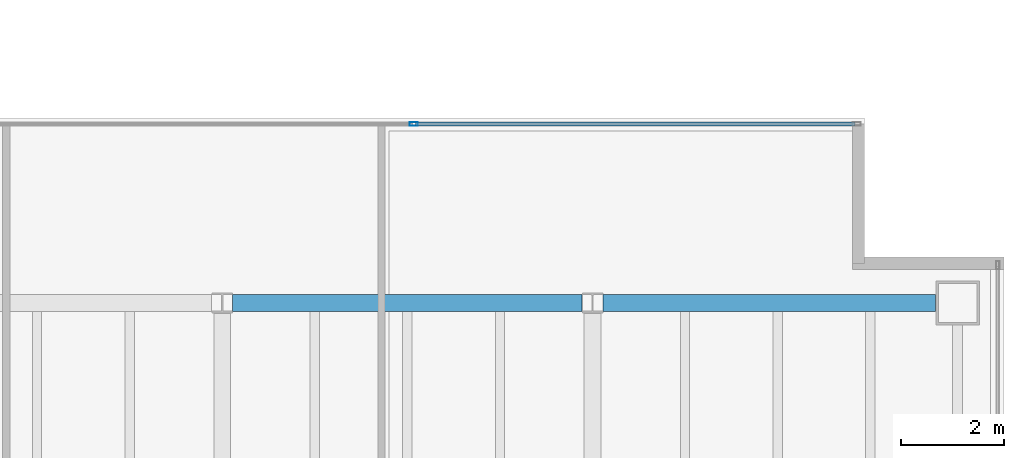
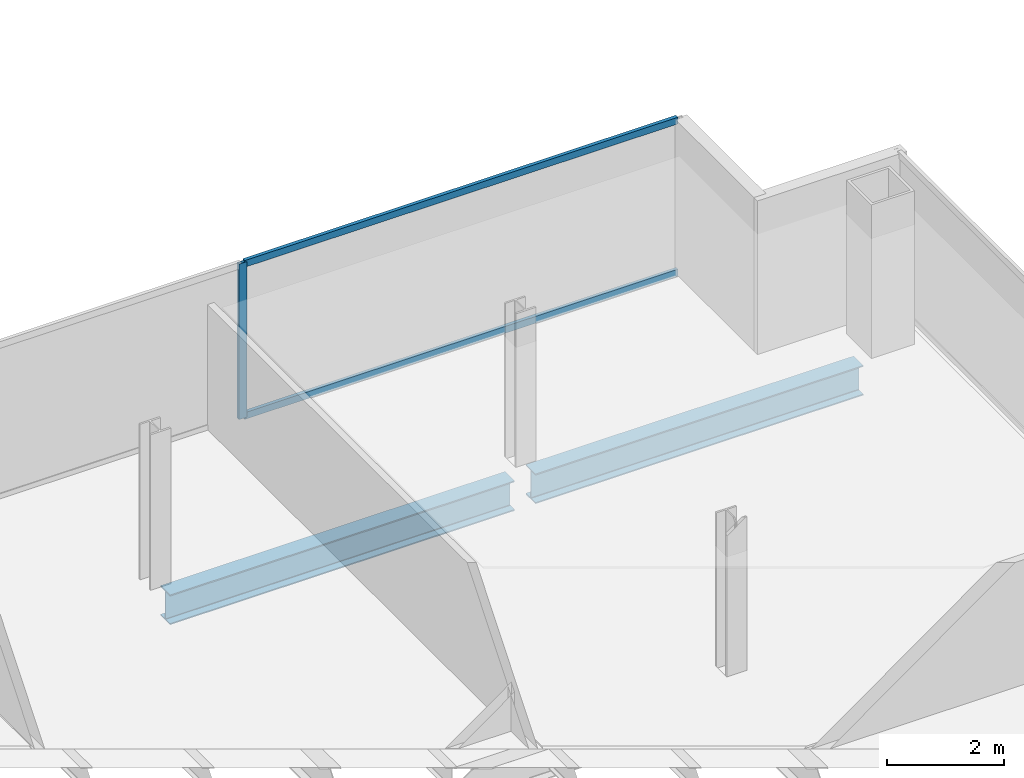
# One storey, part 15 of 23: 3 members, 2 beams, 1 element without a shape of its own.
"""IFC4 building model written with IfcOpenShell, lengths in metres."""

from ifc_helpers import new_model, si_unit, direction, frame, origin, origin_2d, place, context, subcontext, project, spatial, hollow_rectangle, i_section, extrude, material, material_profile, profile_set, type_object, element, aggregate, save


model = new_model("IFC4")

# Units and contexts
model_context = context("Model", 3, precision=1e-05, world=origin(), true_north=direction((0.0, 1.0)))
body_context = subcontext(model_context, "Body", "Model", "MODEL_VIEW")
ifc_project = project(units=[si_unit("LENGTHUNIT", "METRE"), si_unit("AREAUNIT", "SQUARE_METRE"), si_unit("VOLUMEUNIT", "CUBIC_METRE"), si_unit("PLANEANGLEUNIT", "RADIAN"), si_unit("MASSUNIT", "GRAM", prefix="KILO")], contexts=[model_context])

# Site, building, storey
site_placement = place(None, origin())
site = spatial("IfcSite", under=ifc_project, at=site_placement, CompositionType="ELEMENT")
building_placement = place(site_placement, origin())
building = spatial("IfcBuilding", under=site, at=building_placement, Name="Cobrela Telecom Tower", CompositionType="ELEMENT")
storey_placement = place(building_placement, frame((0.0, 0.0, 173.25)))
storey = spatial("IfcBuildingStorey", under=building, at=storey_placement, Name="L43", CompositionType="ELEMENT", Elevation=173.25)

# Beams
ifc_material_1 = material(Name="Steel ASTM A992 Grade 50", Category="steel")
ifc_material_profile_1 = material_profile(ifc_material_1, i_section(OverallWidth=0.327880859375, OverallDepth=0.6220703125, WebThickness=0.015380859375, FlangeThickness=0.0244140625, FilletRadius=0.014892578125, at=origin_2d()), Name="W24X131")
ifc_profile_set_1 = profile_set([ifc_material_profile_1], Name="Steel ASTM A992 Grade 50")
beam_type = type_object("IfcBeamType", Name="BM-GIRD-06", PredefinedType="USERDEFINED", material=ifc_profile_set_1)
beam_1_placement = place(storey_placement, frame((29.00439453125, 21.60009765625, -0.571044921875), z_axis=(1.0, 0.0, 0.0), x_axis=(0.0, 1.0, 0.0)))
element("IfcBeam", 1, at=beam_1_placement, inside=storey, type_object=beam_type, Name="L43 Primary Girder X17", ObjectType="GIRDER", PredefinedType="USERDEFINED", context=body_context, shape_type="SweptSolid", body=[
    extrude(i_section(OverallWidth=0.327880859375, OverallDepth=0.6220703125, WebThickness=0.015380859375, FlangeThickness=0.0244140625, FilletRadius=0.014892578125, at=origin_2d()), origin(), (0.0, 0.0, 1.0), 6.791015625),
])
beam_2_placement = place(storey_placement, frame((36.20458984375, 21.60009765625, -0.571044921875), z_axis=(1.0, 0.0, 0.0), x_axis=(0.0, 1.0, 0.0)))
element("IfcBeam", 2, at=beam_2_placement, inside=storey, type_object=beam_type, Name="L43 Primary Girder X18", ObjectType="GIRDER", PredefinedType="USERDEFINED", context=body_context, shape_type="SweptSolid", body=[
    extrude(i_section(OverallWidth=0.327880859375, OverallDepth=0.6220703125, WebThickness=0.015380859375, FlangeThickness=0.0244140625, FilletRadius=0.014892578125, at=origin_2d()), origin(), (0.0, 0.0, 1.0), 6.46533203125),
])

# Curtain wall, members
ifc_material_2 = material(Name="Anodized Bronze Aluminium 6063-T6", Category="aluminium")
curtain_wall_type = type_object("IfcCurtainWallType", Name="CW-SYS-OFF-LO", PredefinedType="USERDEFINED", material=ifc_material_2)
curtain_wall_placement = place(storey_placement, origin())
curtain_wall = element("IfcCurtainWall", 3, at=curtain_wall_placement, inside=storey, type_object=curtain_wall_type, Name="L43 Unitised Bronze Curtain Wall 11", ObjectType="UNITISED CURTAIN WALL", PredefinedType="USERDEFINED")
ifc_material_profile_2 = material_profile(ifc_material_2, hollow_rectangle(XDim=0.070068359375, YDim=0.159912109375, WallThickness=0.00390625, at=origin_2d()), Name="ALU 70x160x4")
ifc_profile_set_2 = profile_set([ifc_material_profile_2], Name="Anodized Bronze Aluminium 6063-T6")
member_type_1 = type_object("IfcMemberType", Name="CW-SYS-OFF-LO-MUL", PredefinedType="MULLION", material=ifc_profile_set_2)
member_1_placement = place(storey_placement, frame((32.52490234375, 25.080078125, 0.0), z_axis=(0.0, 0.0, 1.0), x_axis=(0.0, 1.0, 0.0)))
member_1 = element("IfcMember", 4, at=member_1_placement, type_object=member_type_1, Name="CW-OFF-LO mullion 2", PredefinedType="MULLION", context=body_context, shape_type="SweptSolid", body=[
    extrude(hollow_rectangle(XDim=0.070068359375, YDim=0.159912109375, WallThickness=0.00390625, at=origin_2d()), origin(), (0.0, 0.0, 1.0), 3.239990234375),
])
ifc_material_profile_3 = material_profile(ifc_material_2, hollow_rectangle(XDim=0.070068359375, YDim=0.139892578125, WallThickness=0.00390625, at=origin_2d()), Name="ALU 70x140x4")
ifc_profile_set_3 = profile_set([ifc_material_profile_3], Name="Anodized Bronze Aluminium 6063-T6")
member_type_2 = type_object("IfcMemberType", Name="CW-SYS-OFF-LO-TRN", PredefinedType="USERDEFINED", material=ifc_profile_set_3)
member_2_placement = place(storey_placement, frame((32.56005859375, 25.080078125, 0.034912109375), z_axis=(1.0, 0.0, 0.0), x_axis=(0.0, 1.0, 0.0)))
member_2 = element("IfcMember", 5, at=member_2_placement, type_object=member_type_2, Name="CW-OFF-LO transom 2.1", ObjectType="TRANSOM", PredefinedType="USERDEFINED", context=body_context, shape_type="SweptSolid", body=[
    extrude(hollow_rectangle(XDim=0.070068359375, YDim=0.139892578125, WallThickness=0.00390625, at=origin_2d()), origin(), (0.0, 0.0, 1.0), 8.5400390625),
])
member_3_placement = place(storey_placement, frame((32.56005859375, 25.080078125, 3.205078125), z_axis=(1.0, 0.0, 0.0), x_axis=(0.0, 1.0, 0.0)))
member_3 = element("IfcMember", 6, at=member_3_placement, type_object=member_type_2, Name="CW-OFF-LO transom 2.2", ObjectType="TRANSOM", PredefinedType="USERDEFINED", context=body_context, shape_type="SweptSolid", body=[
    extrude(hollow_rectangle(XDim=0.070068359375, YDim=0.139892578125, WallThickness=0.00390625, at=origin_2d()), origin(), (0.0, 0.0, 1.0), 8.5400390625),
])
aggregate(curtain_wall, [member_1, member_2, member_3])

save(model, "model.ifc")
